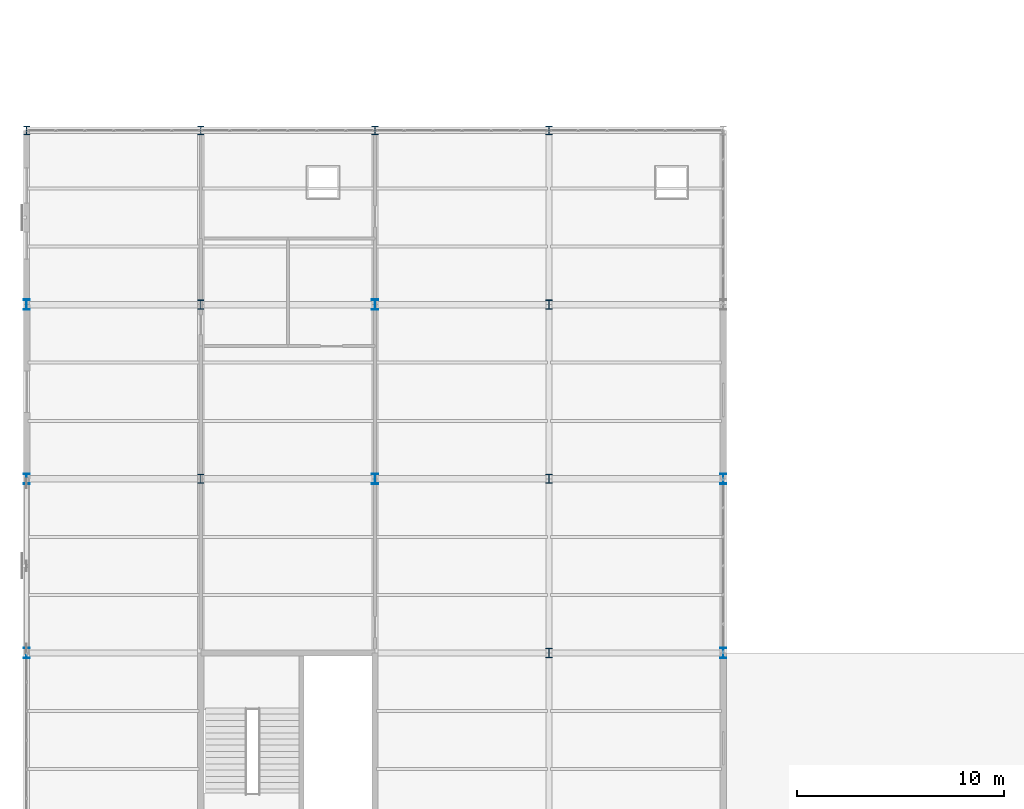
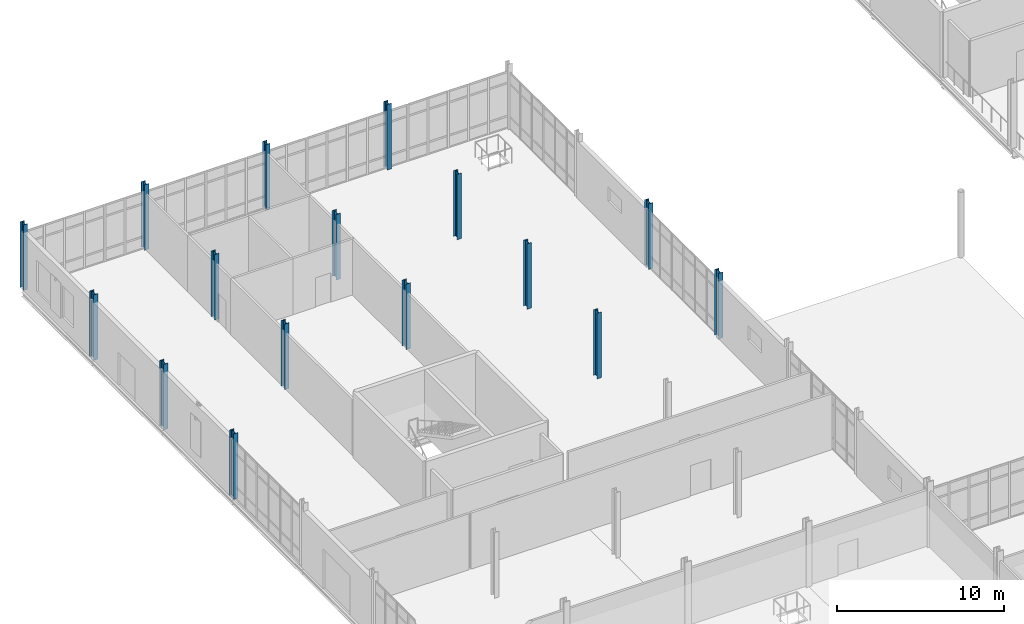
# One storey, part 11 of 145: 16 columns.
"""IFC4 building model written with IfcOpenShell, lengths in metres."""

from ifc_helpers import new_model, si_unit, direction, frame, origin, origin_2d, place, context, subcontext, project, spatial, i_section, extrude, material, material_profile, profile_set, type_object, element, save


model = new_model("IFC4")

# Units and contexts
model_context = context("Model", 3, precision=1e-05, world=origin(), true_north=direction((0.0, 1.0)))
body_context = subcontext(model_context, "Body", "Model", "MODEL_VIEW")
ifc_project = project(units=[si_unit("LENGTHUNIT", "METRE"), si_unit("AREAUNIT", "SQUARE_METRE"), si_unit("VOLUMEUNIT", "CUBIC_METRE"), si_unit("PLANEANGLEUNIT", "RADIAN"), si_unit("MASSUNIT", "GRAM", prefix="KILO")], contexts=[model_context])

# Site, building, storey
site_placement = place(None, origin())
site = spatial("IfcSite", under=ifc_project, at=site_placement, CompositionType="ELEMENT")
building_placement = place(site_placement, origin())
building = spatial("IfcBuilding", under=site, at=building_placement, Name="Qalvenar Corner Mobility Hub", CompositionType="ELEMENT")
storey_placement = place(building_placement, origin())
storey = spatial("IfcBuildingStorey", under=building, at=storey_placement, Name="L00", CompositionType="ELEMENT", Elevation=0.0)

# Columns
ifc_material = material(Name="Steel S355", Category="steel")
ifc_material_profile_1 = material_profile(ifc_material, i_section(OverallWidth=0.300048828125, OverallDepth=0.39990234375, WebThickness=0.013427734375, FlangeThickness=0.02392578125, FilletRadius=0.027099609375, at=origin_2d()), Name="HEB400")
ifc_profile_set_1 = profile_set([ifc_material_profile_1], Name="Steel S355")
column_type_1 = type_object("IfcColumnType", Name="COL-HEB400", PredefinedType="COLUMN", material=ifc_profile_set_1)
for number, where, z_axis, x_axis, name in (
    (1, (0.0, 92.39990234375, 0.0), (0.0, 0.0, 1.0), (1.0, 0.0, 0.0), "Steel Column L00-G1-11"),
    (2, (8.39990234375, 92.39990234375, 0.0), (0.0, 0.0, 1.0), (1.0, 0.0, 0.0), "Steel Column L00-G2-11"),
    (3, (16.800048828125, 92.39990234375, 0.0), (0.0, 0.0, 1.0), (1.0, 0.0, 0.0), "Steel Column L00-G3-11"),
    (4, (25.199951171875, 92.39990234375, 0.0), (0.0, 0.0, 1.0), (1.0, 0.0, 0.0), "Steel Column L00-G4-11"),
):
    element("IfcColumn", number, at=place(storey_placement, frame(where, z_axis=z_axis, x_axis=x_axis)), inside=storey, type_object=column_type_1, Name=name, PredefinedType="COLUMN", context=body_context, shape_type="SweptSolid", body=[
        extrude(i_section(OverallWidth=0.300048828125, OverallDepth=0.39990234375, WebThickness=0.013427734375, FlangeThickness=0.02392578125, FilletRadius=0.027099609375, at=origin_2d()), origin(), (0.0, 0.0, 1.0), 4.800048828125),
    ])
ifc_material_profile_2 = material_profile(ifc_material, i_section(OverallWidth=0.300048828125, OverallDepth=0.449951171875, WebThickness=0.013916015625, FlangeThickness=0.02587890625, FilletRadius=0.027099609375, at=origin_2d()), Name="HEB450")
ifc_profile_set_2 = profile_set([ifc_material_profile_2], Name="Steel S355")
column_type_2 = type_object("IfcColumnType", Name="COL-HEB450", PredefinedType="COLUMN", material=ifc_profile_set_2)
for number, where, z_axis, x_axis, name in (
    (5, (8.39990234375, 75.60009765625, 0.0), (0.0, 0.0, 1.0), (1.0, 0.0, 0.0), "Steel Column L00-G2-9"),
    (6, (8.39990234375, 84.0, 0.0), (0.0, 0.0, 1.0), (1.0, 0.0, 0.0), "Steel Column L00-G2-10"),
    (7, (25.199951171875, 67.199951171875, 0.0), (0.0, 0.0, 1.0), (1.0, 0.0, 0.0), "Steel Column L00-G4-8"),
    (8, (25.199951171875, 75.60009765625, 0.0), (0.0, 0.0, 1.0), (1.0, 0.0, 0.0), "Steel Column L00-G4-9"),
    (9, (25.199951171875, 84.0, 0.0), (0.0, 0.0, 1.0), (1.0, 0.0, 0.0), "Steel Column L00-G4-10"),
):
    element("IfcColumn", number, at=place(storey_placement, frame(where, z_axis=z_axis, x_axis=x_axis)), inside=storey, type_object=column_type_2, Name=name, PredefinedType="COLUMN", context=body_context, shape_type="SweptSolid", body=[
        extrude(i_section(OverallWidth=0.300048828125, OverallDepth=0.449951171875, WebThickness=0.013916015625, FlangeThickness=0.02587890625, FilletRadius=0.027099609375, at=origin_2d()), origin(), (0.0, 0.0, 1.0), 4.800048828125),
    ])
ifc_material_profile_3 = material_profile(ifc_material, i_section(OverallWidth=0.300048828125, OverallDepth=0.5, WebThickness=0.014404296875, FlangeThickness=0.028076171875, FilletRadius=0.027099609375, at=origin_2d()), Name="HEB500")
ifc_profile_set_3 = profile_set([ifc_material_profile_3], Name="Steel S355")
column_type_3 = type_object("IfcColumnType", Name="COL-HEB500", PredefinedType="COLUMN", material=ifc_profile_set_3)
for number, where, z_axis, x_axis, name in (
    (10, (0.0, 67.199951171875, 0.0), (0.0, 0.0, 1.0), (1.0, 0.0, 0.0), "Steel Column L00-G1-8"),
    (11, (0.0, 75.60009765625, 0.0), (0.0, 0.0, 1.0), (1.0, 0.0, 0.0), "Steel Column L00-G1-9"),
    (12, (0.0, 84.0, 0.0), (0.0, 0.0, 1.0), (1.0, 0.0, 0.0), "Steel Column L00-G1-10"),
    (13, (16.800048828125, 75.60009765625, 0.0), (0.0, 0.0, 1.0), (1.0, 0.0, 0.0), "Steel Column L00-G3-9"),
    (14, (16.800048828125, 84.0, 0.0), (0.0, 0.0, 1.0), (1.0, 0.0, 0.0), "Steel Column L00-G3-10"),
    (15, (33.60009765625, 67.199951171875, 0.0), (0.0, 0.0, 1.0), (1.0, 0.0, 0.0), "Steel Column L00-G5-8"),
    (16, (33.60009765625, 75.60009765625, 0.0), (0.0, 0.0, 1.0), (1.0, 0.0, 0.0), "Steel Column L00-G5-9"),
):
    element("IfcColumn", number, at=place(storey_placement, frame(where, z_axis=z_axis, x_axis=x_axis)), inside=storey, type_object=column_type_3, Name=name, PredefinedType="COLUMN", context=body_context, shape_type="SweptSolid", body=[
        extrude(i_section(OverallWidth=0.300048828125, OverallDepth=0.5, WebThickness=0.014404296875, FlangeThickness=0.028076171875, FilletRadius=0.027099609375, at=origin_2d()), origin(), (0.0, 0.0, 1.0), 4.800048828125),
    ])

save(model, "model.ifc")
